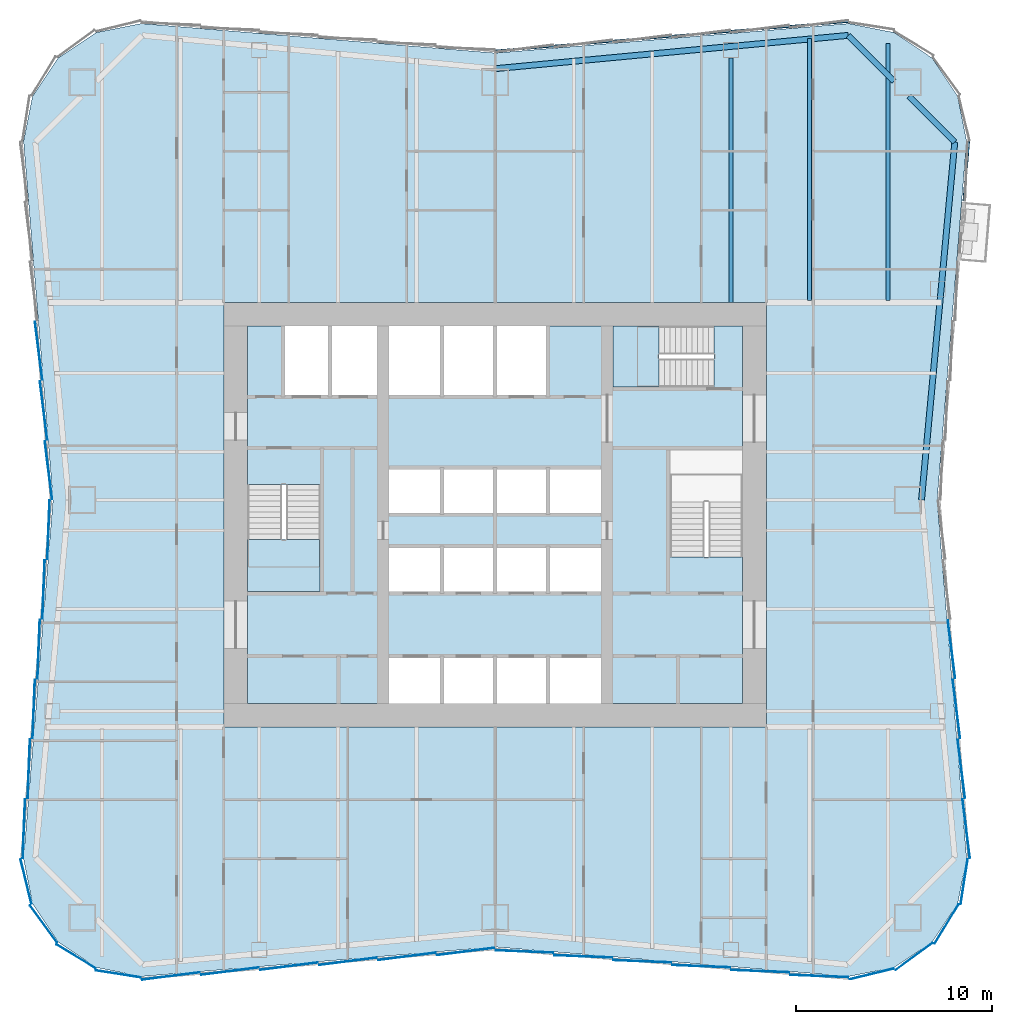
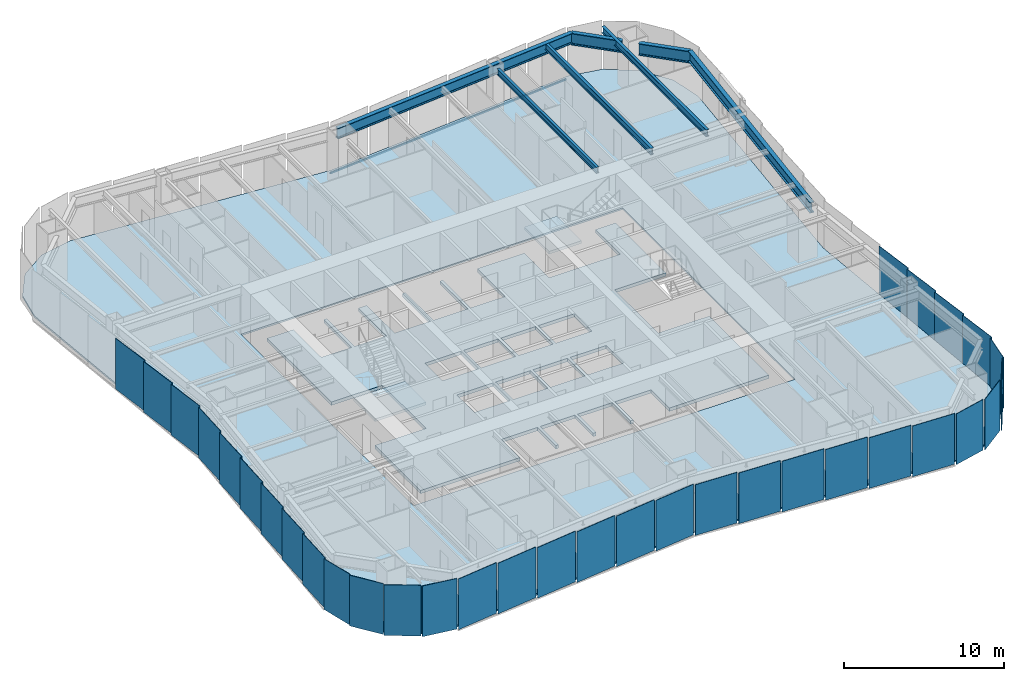
# One storey, part 2 of 9: 33 plates, 7 beams, 4 slabs, 2 members, 8 elements without a shape of their own.
"""IFC4 building model written with IfcOpenShell, lengths in metres."""

import ifcopenshell
import ifcopenshell.guid

model = None  # the IFC model being written
_history = None  # IfcOwnerHistory: only IFC2X3 demands one
_inside = {}  # id of a spatial element -> (the spatial element, [elements in it])
_under = {}  # id of a project, library or spatial element -> (it, [spatial elements below it])
_declared = {}  # id of a project -> (the project, [libraries it declares])
_typed = {}  # id of a type object -> (the type object, [elements of that type])
_made_of = {}  # id of a material, layer set ... -> (it, [elements and type objects made of it])


def new_model(schema):
    """Start an empty IFC model of exactly this schema.

    Asked for "IFC4X3", IfcOpenShell would pick the latest addendum, in which some entities
    have other attributes; the version numbers below select the first issue.
    IFC2X3 requires an IfcOwnerHistory on every rooted entity: one is made here for all.
    """
    global model, _history
    if schema == "IFC4X3":
        model = ifcopenshell.file(schema_version=(4, 3, 0, 0))
    else:
        model = ifcopenshell.file(schema=schema)
    _inside.clear()
    _under.clear()
    _declared.clear()
    _typed.clear()
    _made_of.clear()
    _history = None
    if model.schema == "IFC2X3":
        org = make("IfcOrganization", Name="unknown")
        user = make(
            "IfcPersonAndOrganization",
            ThePerson=make("IfcPerson", FamilyName="unknown"),
            TheOrganization=org,
        )
        app = make(
            "IfcApplication",
            ApplicationDeveloper=org,
            Version="unknown",
            ApplicationFullName="unknown",
            ApplicationIdentifier="unknown",
        )
        _history = make(
            "IfcOwnerHistory",
            OwningUser=user,
            OwningApplication=app,
            ChangeAction="ADDED",
            CreationDate=0,
        )
    return model


def make(cls, **values):
    """One entity of the class cls with the attributes given. An attribute that is None is left unset."""
    return model.create_entity(
        cls, **{name: value for name, value in values.items() if value is not None}
    )


def rooted(cls, **values):
    """An entity with a GlobalId (a new one), such as an element, a storey or a relation."""
    return make(cls, GlobalId=ifcopenshell.guid.new(), OwnerHistory=_history, **values)


def si_unit(unit_type, name, prefix=None):
    """IfcSIUnit, for example si_unit("LENGTHUNIT", "METRE", prefix="MILLI")."""
    return make("IfcSIUnit", UnitType=unit_type, Prefix=prefix, Name=name)


def assignment(units):
    """IfcUnitAssignment: the units of a project."""
    return None if units is None else make("IfcUnitAssignment", Units=units)


def point(xyz):
    """IfcCartesianPoint."""
    return None if xyz is None else make("IfcCartesianPoint", Coordinates=xyz)


def direction(xyz):
    """IfcDirection."""
    return None if xyz is None else make("IfcDirection", DirectionRatios=xyz)


def frame(location, z_axis=None, x_axis=None):
    """IfcAxis2Placement3D, a coordinate frame: its origin and axes. An axis left out is left unset."""
    return make(
        "IfcAxis2Placement3D",
        Location=point(location),
        Axis=direction(z_axis),
        RefDirection=direction(x_axis),
    )


def frame_2d(location, x_axis=None):
    """IfcAxis2Placement2D, a coordinate frame in the plane: its origin and x axis."""
    return make(
        "IfcAxis2Placement2D", Location=point(location), RefDirection=direction(x_axis)
    )


def origin():
    """The frame at (0, 0, 0) with its axes left unset."""
    return frame((0.0, 0.0, 0.0))


def origin_2d():
    """The frame at (0, 0) in the plane with its x axis left unset."""
    return frame_2d((0.0, 0.0))


def place(relative_to, where):
    """IfcLocalPlacement: puts the frame where relative to a parent placement (None: the world)."""
    return make(
        "IfcLocalPlacement", PlacementRelTo=relative_to, RelativePlacement=where
    )


def context(
    kind, dimensions, precision=None, world=None, true_north=None, identifier=None
):
    """IfcGeometricRepresentationContext, for example the 3D "Model" context."""
    return make(
        "IfcGeometricRepresentationContext",
        ContextIdentifier=identifier,
        ContextType=kind,
        CoordinateSpaceDimension=dimensions,
        Precision=precision,
        WorldCoordinateSystem=world,
        TrueNorth=true_north,
    )


def subcontext(parent, identifier, kind, view, scale=None):
    """IfcGeometricRepresentationSubContext, for example "Body" below "Model"."""
    return make(
        "IfcGeometricRepresentationSubContext",
        ContextIdentifier=identifier,
        ContextType=kind,
        ParentContext=parent,
        TargetScale=scale,
        TargetView=view,
    )


def project(units=None, contexts=None):
    """IfcProject with its units and contexts."""
    return rooted(
        "IfcProject",
        Name="project",
        RepresentationContexts=contexts,
        UnitsInContext=assignment(units),
    )


def spatial(cls, under=None, at=None, **own):
    """A site, building, storey or space (cls), placed at a placement, below another one or the project."""
    s = rooted(cls, ObjectPlacement=at, **own)
    if under is not None:
        _under.setdefault(under.id(), (under, []))[1].append(s)
    return s


def polyline(points):
    """IfcPolyline through the points."""
    return make("IfcPolyline", Points=[point(p) for p in points])


def profile(cls, at=None, kind="AREA", **sizes):
    """A parametric profile (cls). Its sizes go by their IFC names, for example OverallWidth=200.0."""
    return make(cls, ProfileType=kind, Position=at, **sizes)


def rectangle(**sizes):
    """IfcRectangleProfileDef."""
    return profile("IfcRectangleProfileDef", **sizes)


def i_section(**sizes):
    """IfcIShapeProfileDef."""
    return profile("IfcIShapeProfileDef", **sizes)


def outline(outer, holes=None, kind="AREA"):
    """IfcArbitraryClosedProfileDef: a profile drawn as a closed curve; with holes, ...WithVoids."""
    if holes is None:
        return make("IfcArbitraryClosedProfileDef", ProfileType=kind, OuterCurve=outer)
    return make(
        "IfcArbitraryProfileDefWithVoids",
        ProfileType=kind,
        OuterCurve=outer,
        InnerCurves=holes,
    )


def extrude(swept, where, along, depth):
    """IfcExtrudedAreaSolid: the profile swept, set in the frame where, extruded along a direction by depth."""
    return make(
        "IfcExtrudedAreaSolid",
        SweptArea=swept,
        Position=where,
        ExtrudedDirection=direction(along),
        Depth=depth,
    )


def shape(context_of_items, identifier, shape_type, items):
    """IfcShapeRepresentation: the items that make up one representation, for example the "Body"."""
    return make(
        "IfcShapeRepresentation",
        ContextOfItems=context_of_items,
        RepresentationIdentifier=identifier,
        RepresentationType=shape_type,
        Items=items,
    )


def material(Name=None, Category=None):
    """IfcMaterial."""
    return make("IfcMaterial", Name=Name, Category=Category)


def layer(
    of_material, thickness, ventilated=None, Name=None, Category=None, Priority=None
):
    """IfcMaterialLayer: one layer of a wall or slab, of a material (None: an air gap)."""
    return make(
        "IfcMaterialLayer",
        Material=of_material,
        LayerThickness=thickness,
        IsVentilated=ventilated,
        Name=Name,
        Category=Category,
        Priority=Priority,
    )


def layer_set(layers, Name=None):
    """IfcMaterialLayerSet."""
    return make("IfcMaterialLayerSet", MaterialLayers=layers, LayerSetName=Name)


def material_profile(
    of_material, cross_section, Name=None, Category=None, Priority=None
):
    """IfcMaterialProfile: a cross section and its material."""
    return make(
        "IfcMaterialProfile",
        Name=Name,
        Material=of_material,
        Profile=cross_section,
        Priority=Priority,
        Category=Category,
    )


def profile_set(profiles, Name=None, composite=None):
    """IfcMaterialProfileSet."""
    return make(
        "IfcMaterialProfileSet",
        Name=Name,
        MaterialProfiles=profiles,
        CompositeProfile=composite,
    )


def made_of(thing, what):
    """Note that an element or type object is made of a material, layer set ...; save() writes the relation."""
    if what is not None:
        _made_of.setdefault(what.id(), (what, []))[1].append(thing)
    return thing


def type_object(cls, material=None, **own):
    """A type object (cls), such as IfcWallType, which elements share."""
    return made_of(rooted(cls, **own), material)


def element(
    cls,
    number,
    at=None,
    inside=None,
    cuts=None,
    type_object=None,
    material=None,
    context=None,
    identifier="Body",
    shape_type=None,
    held_by="IfcProductDefinitionShape",
    body=None,
    shapes=None,
    **own,
):
    """One element of the class cls, such as IfcWall. Its Tag is "e" and its number.

    at: its placement. inside: the storey or other place that contains it. cuts: it is an
    opening in that element (IfcRelVoidsElement). A single representation is given by context,
    identifier, shape_type and body (its items); several are given by shapes. held_by: the class
    of the entity that holds the representations. save() writes the other relations.
    """
    e = rooted(cls, Tag="e%d" % number, ObjectPlacement=at, **own)
    if body is not None:
        shapes = [shape(context, identifier, shape_type, body)]
    if shapes is not None:
        e.Representation = make(held_by, Representations=shapes)
    if inside is not None:
        _inside.setdefault(inside.id(), (inside, []))[1].append(e)
    if cuts is not None:
        rooted(
            "IfcRelVoidsElement", RelatingBuildingElement=cuts, RelatedOpeningElement=e
        )
    if type_object is not None:
        _typed.setdefault(type_object.id(), (type_object, []))[1].append(e)
    return made_of(e, material)


def aggregate(whole, parts):
    """IfcRelAggregates: a whole, such as a stair, and the parts it consists of."""
    return rooted("IfcRelAggregates", RelatingObject=whole, RelatedObjects=parts)


def save(model, path):
    """Write the relations noted so far, then the file.

    IfcRelAggregates (storeys below a building ...), IfcRelContainedInSpatialStructure (elements
    in a storey), IfcRelDefinesByType, IfcRelAssociatesMaterial and IfcRelDeclares: one each for
    every whole, place, type object, material and project.
    """
    for whole, parts in _under.values():
        aggregate(whole, parts)
    for where, things in _inside.values():
        rooted(
            "IfcRelContainedInSpatialStructure",
            RelatedElements=things,
            RelatingStructure=where,
        )
    for kind, things in _typed.values():
        rooted("IfcRelDefinesByType", RelatedObjects=things, RelatingType=kind)
    for what, things in _made_of.values():
        rooted("IfcRelAssociatesMaterial", RelatedObjects=things, RelatingMaterial=what)
    for by, libraries in _declared.values():
        rooted("IfcRelDeclares", RelatingContext=by, RelatedDefinitions=libraries)
    model.write(path)


model = new_model("IFC4")

# Units and contexts
model_context = context("Model", 3, precision=1e-05, world=origin(), true_north=direction((0.0, 1.0)))
body_context = subcontext(model_context, "Body", "Model", "MODEL_VIEW")
ifc_project = project(units=[si_unit("LENGTHUNIT", "METRE"), si_unit("AREAUNIT", "SQUARE_METRE"), si_unit("VOLUMEUNIT", "CUBIC_METRE"), si_unit("PLANEANGLEUNIT", "RADIAN"), si_unit("MASSUNIT", "GRAM", prefix="KILO")], contexts=[model_context])

# Site, building, storey
site_placement = place(None, origin())
site = spatial("IfcSite", under=ifc_project, at=site_placement, CompositionType="ELEMENT")
building_placement = place(site_placement, origin())
building = spatial("IfcBuilding", under=site, at=building_placement, Name="Verdant Reach Tower", CompositionType="ELEMENT")
storey_placement = place(building_placement, frame((0.0, 0.0, 110.0)))
storey = spatial("IfcBuildingStorey", under=building, at=storey_placement, Name="L25", CompositionType="ELEMENT", Elevation=110.0)

# Curtain wall, member
ifc_material_1 = material(Name="Anodised aluminium", Category="aluminium")
curtain_wall_type = type_object("IfcCurtainWallType", Name="EN-CW SYSTEM Z1", PredefinedType="NOTDEFINED", material=ifc_material_1)
curtain_wall_1_placement = place(storey_placement, origin())
curtain_wall_1 = element("IfcCurtainWall", 1, at=curtain_wall_1_placement, inside=storey, type_object=curtain_wall_type, Name="Curtain wall east, L25", PredefinedType="NOTDEFINED")
ifc_material_profile_1 = material_profile(ifc_material_1, rectangle(XDim=0.10009765625, YDim=0.1220703125, at=origin_2d()), Name="Transom 122x100")
ifc_profile_set_1 = profile_set([ifc_material_profile_1], Name="Anodised aluminium")
member_type = type_object("IfcMemberType", Name="EN-TRANSOM Z1", PredefinedType="USERDEFINED", material=ifc_profile_set_1)
member_1_placement = place(storey_placement, frame((23.855224609375, 43.980712890625, -0.2890625), z_axis=(0.081586055135, 0.996666301029, 0.0), x_axis=(-0.996666301029, 0.081586055135, 0.0)))
member_1 = element("IfcMember", 2, at=member_1_placement, type_object=member_type, Name="Transom east face part 2 2.1, L25", ObjectType="TRANSOM", PredefinedType="USERDEFINED", context=body_context, shape_type="SweptSolid", body=[
    extrude(rectangle(XDim=0.10009765625, YDim=0.1220703125, at=origin_2d()), origin(), (0.0, 0.0, 1.0), 3.00439453125),
])

curtain_wall_2_placement = place(storey_placement, origin())
curtain_wall_2 = element("IfcCurtainWall", 3, at=curtain_wall_2_placement, inside=storey, type_object=curtain_wall_type, Name="Curtain wall north, L25", PredefinedType="NOTDEFINED")
member_2_placement = place(storey_placement, frame((17.974853515625, 53.100341796875, -0.2890625), z_axis=(-0.996547815143, -0.083020793384, 0.0), x_axis=(0.083020793384, -0.996547815143, 0.0)))
member_2 = element("IfcMember", 4, at=member_2_placement, type_object=member_type, Name="Transom north face part 1 1.1, L25", ObjectType="TRANSOM", PredefinedType="USERDEFINED", context=body_context, shape_type="SweptSolid", body=[
    extrude(rectangle(XDim=0.10009765625, YDim=0.1220703125, at=origin_2d()), origin(), (0.0, 0.0, 1.0), 18.006103515625),
])
aggregate(curtain_wall_2, [member_2])

# Beams
ifc_material_2 = material(Name="Steel S355", Category="steel")
ifc_material_profile_2 = material_profile(ifc_material_2, i_section(OverallWidth=0.18994140625, OverallDepth=0.449951171875, WebThickness=0.009521484375, FlangeThickness=0.0146484375, FilletRadius=0.02099609375, at=origin_2d()), Name="IPE 450")
ifc_profile_set_2 = profile_set([ifc_material_profile_2], Name="Steel S355")
beam_type_1 = type_object("IfcBeamType", Name="ST-JOIST-IPE450", PredefinedType="JOIST", material=ifc_profile_set_2)
beam_1_placement = place(storey_placement, frame((12.0, 38.800048828125, 3.52490234375), z_axis=(0.0, 1.0, 0.0), x_axis=(-1.0, 0.0, 0.0)))
element("IfcBeam", 5, at=beam_1_placement, inside=storey, type_object=beam_type_1, Name="Floor joist, L25", PredefinedType="JOIST", context=body_context, shape_type="SweptSolid", body=[
    extrude(i_section(OverallWidth=0.18994140625, OverallDepth=0.449951171875, WebThickness=0.009521484375, FlangeThickness=0.0146484375, FilletRadius=0.02099609375, at=origin_2d()), origin(), (0.0, 0.0, 1.0), 12.449951171875),
])
ifc_material_profile_3 = material_profile(ifc_material_2, i_section(OverallWidth=0.199951171875, OverallDepth=0.5, WebThickness=0.01025390625, FlangeThickness=0.01611328125, FilletRadius=0.02099609375, at=origin_2d()), Name="IPE 500")
ifc_profile_set_3 = profile_set([ifc_material_profile_3], Name="Steel S355")
beam_type_2 = type_object("IfcBeamType", Name="ST-JOIST-IPE500", PredefinedType="JOIST", material=ifc_profile_set_3)
beam_2_placement = place(storey_placement, frame((16.0, 38.89990234375, 3.5), z_axis=(0.0, 1.0, 0.0), x_axis=(-1.0, 0.0, 0.0)))
element("IfcBeam", 6, at=beam_2_placement, inside=storey, type_object=beam_type_2, Name="Floor joist, L25", PredefinedType="JOIST", context=body_context, shape_type="SweptSolid", body=[
    extrude(i_section(OverallWidth=0.199951171875, OverallDepth=0.5, WebThickness=0.01025390625, FlangeThickness=0.01611328125, FilletRadius=0.02099609375, at=origin_2d()), origin(), (0.0, 0.0, 1.0), 13.331298828125),
])
beam_3_placement = place(storey_placement, frame((20.0, 38.89990234375, 3.5), z_axis=(0.0, 1.0, 0.0), x_axis=(-1.0, 0.0, 0.0)))
element("IfcBeam", 7, at=beam_3_placement, inside=storey, type_object=beam_type_2, Name="Floor joist, L25", PredefinedType="JOIST", context=body_context, shape_type="SweptSolid", body=[
    extrude(i_section(OverallWidth=0.199951171875, OverallDepth=0.5, WebThickness=0.01025390625, FlangeThickness=0.01611328125, FilletRadius=0.02099609375, at=origin_2d()), origin(), (0.0, 0.0, 1.0), 13.090576171875),
])
ifc_material_profile_4 = material_profile(ifc_material_2, i_section(OverallWidth=0.300048828125, OverallDepth=0.800048828125, WebThickness=0.017578125, FlangeThickness=0.032958984375, FilletRadius=0.030029296875, at=origin_2d()), Name="HEB 800")
ifc_profile_set_4 = profile_set([ifc_material_profile_4], Name="Steel S355")
beam_type_3 = type_object("IfcBeamType", Name="ST-SPANDREL-HEB800", PredefinedType="SPANDREL", material=ifc_profile_set_4)
beam_4_placement = place(storey_placement, frame((0.0, 50.699951171875, 3.35009765625), z_axis=(0.995578571765, 0.093932462137, 0.0), x_axis=(-0.093932462137, 0.995578571765, 0.0)))
element("IfcBeam", 8, at=beam_4_placement, inside=storey, type_object=beam_type_3, Name="Edge beam, L25", PredefinedType="SPANDREL", context=body_context, shape_type="SweptSolid", body=[
    extrude(i_section(OverallWidth=0.300048828125, OverallDepth=0.800048828125, WebThickness=0.017578125, FlangeThickness=0.032958984375, FilletRadius=0.030029296875, at=origin_2d()), origin(), (0.0, 0.0, 1.0), 18.045654296875),
])
beam_5_placement = place(storey_placement, frame((23.39501953125, 46.96533203125, 3.35009765625), z_axis=(-0.092656907618, -0.995698095544, 0.0), x_axis=(0.995698095544, -0.092656907618, 0.0)))
element("IfcBeam", 9, at=beam_5_placement, inside=storey, type_object=beam_type_3, Name="Edge beam, L25", PredefinedType="SPANDREL", context=body_context, shape_type="SweptSolid", body=[
    extrude(i_section(OverallWidth=0.300048828125, OverallDepth=0.800048828125, WebThickness=0.017578125, FlangeThickness=0.032958984375, FilletRadius=0.030029296875, at=origin_2d()), origin(), (0.0, 0.0, 1.0), 18.2939453125),
])
ifc_material_profile_5 = material_profile(ifc_material_2, i_section(OverallWidth=0.302001953125, OverallDepth=0.909912109375, WebThickness=0.02099609375, FlangeThickness=0.0400390625, FilletRadius=0.030029296875, at=origin_2d()), Name="HEM 900")
ifc_profile_set_5 = profile_set([ifc_material_profile_5], Name="Steel S355")
beam_type_4 = type_object("IfcBeamType", Name="ST-SPANDREL-HEM900", PredefinedType="SPANDREL", material=ifc_profile_set_5)
beam_6_placement = place(storey_placement, frame((17.9658203125, 52.39501953125, 3.294921875), z_axis=(0.707106781187, -0.707106781187, 0.0), x_axis=(0.707106781187, 0.707106781187, 0.0)))
element("IfcBeam", 10, at=beam_6_placement, inside=storey, type_object=beam_type_4, Name="Edge beam, L25", PredefinedType="SPANDREL", context=body_context, shape_type="SweptSolid", body=[
    extrude(i_section(OverallWidth=0.302001953125, OverallDepth=0.909912109375, WebThickness=0.02099609375, FlangeThickness=0.0400390625, FilletRadius=0.030029296875, at=origin_2d()), origin(), (0.0, 0.0, 1.0), 3.301025390625),
])
beam_7_placement = place(storey_placement, frame((21.060546875, 49.300048828125, 3.294921875), z_axis=(0.707069807316, -0.707143753123, 0.0), x_axis=(0.707143753123, 0.707069807316, 0.0)))
element("IfcBeam", 11, at=beam_7_placement, inside=storey, type_object=beam_type_4, Name="Edge beam, L25", PredefinedType="SPANDREL", context=body_context, shape_type="SweptSolid", body=[
    extrude(i_section(OverallWidth=0.302001953125, OverallDepth=0.909912109375, WebThickness=0.02099609375, FlangeThickness=0.0400390625, FilletRadius=0.030029296875, at=origin_2d()), origin(), (0.0, 0.0, 1.0), 3.301513671875),
])

# Stair, slab
ifc_material_3 = material(Name="Concrete C40/50", Category="concrete")
stair_type = type_object("IfcStairType", Name="CO-STAIR", PredefinedType="HALF_TURN_STAIR", material=ifc_material_3)
stair_1_placement = place(storey_placement, origin())
stair_1 = element("IfcStair", 12, at=stair_1_placement, inside=storey, type_object=stair_type, Name="L25 Exit stair 1", PredefinedType="HALF_TURN_STAIR")
ifc_layer_1 = layer(ifc_material_3, 0.199951171875)
ifc_layer_set_1 = layer_set([ifc_layer_1], Name="CO-STAIR-LANDING")
slab_type_1 = type_object("IfcSlabType", Name="CO-STAIR-LANDING", PredefinedType="LANDING", material=ifc_layer_set_1)
slab_1_placement = place(storey_placement, frame((0.0, 0.0, 1.800048828125)))
slab_1 = element("IfcSlab", 13, at=slab_1_placement, type_object=slab_type_1, Name="ST-1 landing 1", PredefinedType="LANDING", context=body_context, shape_type="SweptSolid", body=[
    extrude(outline(polyline([(-12.60009765625, 26.75), (-12.60009765625, 24.10009765625), (-8.89990234375, 24.10009765625), (-8.89990234375, 26.75), (-12.60009765625, 26.75)])), origin(), (0.0, 0.0, 1.0), 0.199951171875),
])
aggregate(stair_1, [slab_1])

stair_2_placement = place(storey_placement, origin())
stair_2 = element("IfcStair", 14, at=stair_2_placement, inside=storey, type_object=stair_type, Name="L25 Exit stair 3", PredefinedType="HALF_TURN_STAIR")
slab_2_placement = place(storey_placement, frame((0.0, 0.0, 1.800048828125)))
slab_2 = element("IfcSlab", 15, at=slab_2_placement, type_object=slab_type_1, Name="ST-3 landing 1", PredefinedType="LANDING", context=body_context, shape_type="SweptSolid", body=[
    extrude(outline(polyline([(8.35009765625, 37.60009765625), (6.0, 37.60009765625), (6.0, 34.5), (8.35009765625, 34.5), (8.35009765625, 37.60009765625)])), origin(), (0.0, 0.0, 1.0), 0.199951171875),
])
aggregate(stair_2, [slab_2])

# Plate
ifc_material_4 = material(Name="Tinted glass with champagne spandrel", Category="glass")
ifc_layer_2 = layer(ifc_material_4, 0.031982421875)
ifc_layer_set_2 = layer_set([ifc_layer_2], Name="EN-PANEL CHAMPAGNE")
plate_type_1 = type_object("IfcPlateType", Name="EN-PANEL CHAMPAGNE", PredefinedType="CURTAIN_PANEL", material=ifc_layer_set_2)
plate_1_placement = place(storey_placement, frame((23.4775390625, 18.112548828125, -0.22802734375), z_axis=(0.0, 0.0, 1.0), x_axis=(-0.123578623975, 0.992334784081, 0.0)))
plate_1 = element("IfcPlate", 16, at=plate_1_placement, type_object=plate_type_1, Name="Glass panel east face part 1 3.1, L25", PredefinedType="CURTAIN_PANEL", context=body_context, shape_type="SweptSolid", body=[
    extrude(rectangle(XDim=2.993896484375, YDim=0.031982421875, at=origin_2d()), origin(), (0.0, 0.0, 1.0), 3.8779296875),
])

plate_2_placement = place(storey_placement, frame((23.2275390625, 21.154296875, -0.22802734375), z_axis=(0.0, 0.0, 1.0), x_axis=(-0.123578623975, 0.992334784081, 0.0)))
plate_2 = element("IfcPlate", 17, at=plate_2_placement, type_object=plate_type_1, Name="Glass panel east face part 1 4.1, L25", PredefinedType="CURTAIN_PANEL", context=body_context, shape_type="SweptSolid", body=[
    extrude(rectangle(XDim=2.993896484375, YDim=0.031982421875, at=origin_2d()), origin(), (0.0, 0.0, 1.0), 3.8779296875),
])

# Curtain wall, plates
curtain_wall_3_placement = place(storey_placement, origin())
curtain_wall_3 = element("IfcCurtainWall", 18, at=curtain_wall_3_placement, inside=storey, type_object=curtain_wall_type, Name="Curtain wall west, L25", PredefinedType="NOTDEFINED")
plate_3_placement = place(storey_placement, frame((-22.727783203125, 27.2333984375, -0.22802734375), z_axis=(0.0, 0.0, 1.0), x_axis=(-0.040222426271, -0.99919075077, 0.0)))
plate_3 = element("IfcPlate", 19, at=plate_3_placement, type_object=plate_type_1, Name="Glass panel west face part 2 1.1, L25", PredefinedType="CURTAIN_PANEL", context=body_context, shape_type="SweptSolid", body=[
    extrude(rectangle(XDim=2.985595703125, YDim=0.031982421875, at=origin_2d()), origin(), (0.0, 0.0, 1.0), 3.8779296875),
])
plate_4_placement = place(storey_placement, frame((-22.9775390625, 24.196044921875, -0.22802734375), z_axis=(0.0, 0.0, 1.0), x_axis=(-0.040108781752, -0.999195319057, 0.0)))
plate_4 = element("IfcPlate", 20, at=plate_4_placement, type_object=plate_type_1, Name="Glass panel west face part 2 2.1, L25", PredefinedType="CURTAIN_PANEL", context=body_context, shape_type="SweptSolid", body=[
    extrude(rectangle(XDim=2.993896484375, YDim=0.031982421875, at=origin_2d()), origin(), (0.0, 0.0, 1.0), 3.8779296875),
])
plate_5_placement = place(storey_placement, frame((-23.2275390625, 21.154296875, -0.22802734375), z_axis=(0.0, 0.0, 1.0), x_axis=(-0.040108781752, -0.999195319057, 0.0)))
plate_5 = element("IfcPlate", 21, at=plate_5_placement, type_object=plate_type_1, Name="Glass panel west face part 2 3.1, L25", PredefinedType="CURTAIN_PANEL", context=body_context, shape_type="SweptSolid", body=[
    extrude(rectangle(XDim=2.993896484375, YDim=0.031982421875, at=origin_2d()), origin(), (0.0, 0.0, 1.0), 3.8779296875),
])

# Curtain wall, plate
curtain_wall_4_placement = place(storey_placement, origin())
curtain_wall_4 = element("IfcCurtainWall", 22, at=curtain_wall_4_placement, inside=storey, type_object=curtain_wall_type, Name="Curtain wall south-west corner, L25", PredefinedType="NOTDEFINED")
plate_6_placement = place(storey_placement, frame((-23.87060546875, 9.329345703125, -0.22802734375), z_axis=(0.0, 0.0, 1.0), x_axis=(0.236383344544, -0.971659875894, 0.0)))
plate_6 = element("IfcPlate", 23, at=plate_6_placement, type_object=plate_type_1, Name="Glass panel south-west corner 1.1, L25", PredefinedType="CURTAIN_PANEL", context=body_context, shape_type="SweptSolid", body=[
    extrude(rectangle(XDim=2.3173828125, YDim=0.031982421875, at=origin_2d()), origin(), (0.0, 0.0, 1.0), 3.8779296875),
])

# Curtain wall, plates
curtain_wall_5_placement = place(storey_placement, origin())
curtain_wall_5 = element("IfcCurtainWall", 24, at=curtain_wall_5_placement, inside=storey, type_object=curtain_wall_type, Name="Curtain wall south, L25", PredefinedType="NOTDEFINED")
plate_7_placement = place(storey_placement, frame((-4.491455078125, 5.5224609375, -0.22802734375), z_axis=(0.0, 0.0, 1.0), x_axis=(0.992194034542, 0.124703639961, 0.0)))
plate_7 = element("IfcPlate", 25, at=plate_7_placement, type_object=plate_type_1, Name="Glass panel south face part 1 5.1, L25", PredefinedType="CURTAIN_PANEL", context=body_context, shape_type="SweptSolid", body=[
    extrude(rectangle(XDim=2.952392578125, YDim=0.031982421875, at=origin_2d()), origin(), (0.0, 0.0, 1.0), 3.8779296875),
])
plate_8_placement = place(storey_placement, frame((-1.49560546875, 5.772216796875, -0.22802734375), z_axis=(0.0, 0.0, 1.0), x_axis=(0.992179247355, 0.124821236644, 0.0)))
plate_8 = element("IfcPlate", 26, at=plate_8_placement, type_object=plate_type_1, Name="Glass panel south face part 1 6.1, L25", PredefinedType="CURTAIN_PANEL", context=body_context, shape_type="SweptSolid", body=[
    extrude(rectangle(XDim=2.94384765625, YDim=0.031982421875, at=origin_2d()), origin(), (0.0, 0.0, 1.0), 3.8779296875),
])
plate_9_placement = place(storey_placement, frame((1.49560546875, 5.772216796875, -0.22802734375), z_axis=(0.0, 0.0, 1.0), x_axis=(0.99914430697, -0.041360051381, 0.0)))
plate_9 = element("IfcPlate", 27, at=plate_9_placement, type_object=plate_type_1, Name="Glass panel south face part 2 1.1, L25", PredefinedType="CURTAIN_PANEL", context=body_context, shape_type="SweptSolid", body=[
    extrude(rectangle(XDim=2.94384765625, YDim=0.031982421875, at=origin_2d()), origin(), (0.0, 0.0, 1.0), 3.8779296875),
])

curtain_wall_6_placement = place(storey_placement, origin())
curtain_wall_6 = element("IfcCurtainWall", 28, at=curtain_wall_6_placement, inside=storey, type_object=curtain_wall_type, Name="Curtain wall south-east corner, L25", PredefinedType="NOTDEFINED")
ifc_material_5 = material(Name="Tinted glass with copper spandrel", Category="glass")
ifc_layer_3 = layer(ifc_material_5, 0.031982421875)
ifc_layer_set_3 = layer_set([ifc_layer_3], Name="EN-PANEL COPPER")
plate_type_2 = type_object("IfcPlateType", Name="EN-PANEL COPPER", PredefinedType="CURTAIN_PANEL", material=ifc_layer_set_3)
plate_10_placement = place(storey_placement, frame((19.170654296875, 4.62939453125, -0.22802734375), z_axis=(0.0, 0.0, 1.0), x_axis=(0.971660685934, 0.236380014828, 0.0)))
plate_10 = element("IfcPlate", 29, at=plate_10_placement, type_object=plate_type_2, Name="Glass panel south-east corner 1.1, L25", PredefinedType="CURTAIN_PANEL", context=body_context, shape_type="SweptSolid", body=[
    extrude(rectangle(XDim=2.317626953125, YDim=0.031982421875, at=origin_2d()), origin(), (0.0, 0.0, 1.0), 3.8779296875),
])
plate_11_placement = place(storey_placement, frame((21.325439453125, 5.52294921875, -0.22802734375), z_axis=(0.0, 0.0, 1.0), x_axis=(0.807456753161, 0.589926768145, 0.0)))
plate_11 = element("IfcPlate", 30, at=plate_11_placement, type_object=plate_type_2, Name="Glass panel south-east corner 2.1, L25", PredefinedType="CURTAIN_PANEL", context=body_context, shape_type="SweptSolid", body=[
    extrude(rectangle(XDim=2.3232421875, YDim=0.031982421875, at=origin_2d()), origin(), (0.0, 0.0, 1.0), 3.8779296875),
])

# Plate
plate_12_placement = place(storey_placement, frame((-23.2275390625, 36.345703125, -0.22802734375), z_axis=(0.0, 0.0, 1.0), x_axis=(0.123578623975, -0.992334784081, 0.0)))
plate_12 = element("IfcPlate", 31, at=plate_12_placement, type_object=plate_type_2, Name="Glass panel west face part 1 4.1, L25", PredefinedType="CURTAIN_PANEL", context=body_context, shape_type="SweptSolid", body=[
    extrude(rectangle(XDim=2.993896484375, YDim=0.031982421875, at=origin_2d()), origin(), (0.0, 0.0, 1.0), 3.8779296875),
])

plate_13_placement = place(storey_placement, frame((-23.4775390625, 18.112548828125, -0.22802734375), z_axis=(0.0, 0.0, 1.0), x_axis=(-0.040108781752, -0.999195319057, 0.0)))
plate_13 = element("IfcPlate", 32, at=plate_13_placement, type_object=plate_type_2, Name="Glass panel west face part 2 4.1, L25", PredefinedType="CURTAIN_PANEL", context=body_context, shape_type="SweptSolid", body=[
    extrude(rectangle(XDim=2.993896484375, YDim=0.031982421875, at=origin_2d()), origin(), (0.0, 0.0, 1.0), 3.8779296875),
])

plate_14_placement = place(storey_placement, frame((-23.7275390625, 15.071044921875, -0.22802734375), z_axis=(0.0, 0.0, 1.0), x_axis=(-0.040108781752, -0.999195319057, 0.0)))
plate_14 = element("IfcPlate", 33, at=plate_14_placement, type_object=plate_type_2, Name="Glass panel west face part 2 5.1, L25", PredefinedType="CURTAIN_PANEL", context=body_context, shape_type="SweptSolid", body=[
    extrude(rectangle(XDim=2.993896484375, YDim=0.031982421875, at=origin_2d()), origin(), (0.0, 0.0, 1.0), 3.8779296875),
])

plate_15_placement = place(storey_placement, frame((-22.97705078125, 7.174560546875, -0.22802734375), z_axis=(0.0, 0.0, 1.0), x_axis=(0.589926768145, -0.807456753161, 0.0)))
plate_15 = element("IfcPlate", 34, at=plate_15_placement, type_object=plate_type_2, Name="Glass panel south-west corner 2.1, L25", PredefinedType="CURTAIN_PANEL", context=body_context, shape_type="SweptSolid", body=[
    extrude(rectangle(XDim=2.3232421875, YDim=0.031982421875, at=origin_2d()), origin(), (0.0, 0.0, 1.0), 3.8779296875),
])

plate_16_placement = place(storey_placement, frame((-21.325439453125, 5.52294921875, -0.22802734375), z_axis=(0.0, 0.0, 1.0), x_axis=(0.85398868836, -0.520291572248, 0.0)))
plate_16 = element("IfcPlate", 35, at=plate_16_placement, type_object=plate_type_2, Name="Glass panel south-west corner 3.1, L25", PredefinedType="CURTAIN_PANEL", context=body_context, shape_type="SweptSolid", body=[
    extrude(rectangle(XDim=2.3232421875, YDim=0.031982421875, at=origin_2d()), origin(), (0.0, 0.0, 1.0), 3.8779296875),
])

plate_17_placement = place(storey_placement, frame((-19.170654296875, 4.62939453125, -0.22802734375), z_axis=(0.0, 0.0, 1.0), x_axis=(0.988032704995, -0.154244526195, 0.0)))
plate_17 = element("IfcPlate", 36, at=plate_17_placement, type_object=plate_type_2, Name="Glass panel south-west corner 4.1, L25", PredefinedType="CURTAIN_PANEL", context=body_context, shape_type="SweptSolid", body=[
    extrude(rectangle(XDim=2.317626953125, YDim=0.031982421875, at=origin_2d()), origin(), (0.0, 0.0, 1.0), 3.8779296875),
])

aggregate(curtain_wall_4, [plate_6, plate_15, plate_16, plate_17])

plate_18_placement = place(storey_placement, frame((-16.49853515625, 4.522216796875, -0.22802734375), z_axis=(0.0, 0.0, 1.0), x_axis=(0.99223537376, 0.124374286167, 0.0)))
plate_18 = element("IfcPlate", 37, at=plate_18_placement, type_object=plate_type_2, Name="Glass panel south face part 1 1.1, L25", PredefinedType="CURTAIN_PANEL", context=body_context, shape_type="SweptSolid", body=[
    extrude(rectangle(XDim=2.966796875, YDim=0.031982421875, at=origin_2d()), origin(), (0.0, 0.0, 1.0), 3.8779296875),
])

plate_19_placement = place(storey_placement, frame((-13.491455078125, 4.7724609375, -0.22802734375), z_axis=(0.0, 0.0, 1.0), x_axis=(0.992194034542, 0.124703639961, 0.0)))
plate_19 = element("IfcPlate", 38, at=plate_19_placement, type_object=plate_type_2, Name="Glass panel south face part 1 2.1, L25", PredefinedType="CURTAIN_PANEL", context=body_context, shape_type="SweptSolid", body=[
    extrude(rectangle(XDim=2.952392578125, YDim=0.031982421875, at=origin_2d()), origin(), (0.0, 0.0, 1.0), 3.8779296875),
])

plate_20_placement = place(storey_placement, frame((4.491455078125, 5.5224609375, -0.22802734375), z_axis=(0.0, 0.0, 1.0), x_axis=(0.999149202059, -0.041241629766, 0.0)))
plate_20 = element("IfcPlate", 39, at=plate_20_placement, type_object=plate_type_2, Name="Glass panel south face part 2 2.1, L25", PredefinedType="CURTAIN_PANEL", context=body_context, shape_type="SweptSolid", body=[
    extrude(rectangle(XDim=2.952392578125, YDim=0.031982421875, at=origin_2d()), origin(), (0.0, 0.0, 1.0), 3.8779296875),
])

plate_21_placement = place(storey_placement, frame((7.491455078125, 5.2724609375, -0.22802734375), z_axis=(0.0, 0.0, 1.0), x_axis=(0.999149202059, -0.041241629766, 0.0)))
plate_21 = element("IfcPlate", 40, at=plate_21_placement, type_object=plate_type_2, Name="Glass panel south face part 2 3.1, L25", PredefinedType="CURTAIN_PANEL", context=body_context, shape_type="SweptSolid", body=[
    extrude(rectangle(XDim=2.952392578125, YDim=0.031982421875, at=origin_2d()), origin(), (0.0, 0.0, 1.0), 3.8779296875),
])

ifc_material_6 = material(Name="Tinted glass with dark bronze spandrel", Category="glass")
ifc_layer_4 = layer(ifc_material_6, 0.031982421875)
ifc_layer_set_4 = layer_set([ifc_layer_4], Name="EN-PANEL DARK")
plate_type_3 = type_object("IfcPlateType", Name="EN-PANEL DARK", PredefinedType="CURTAIN_PANEL", material=ifc_layer_set_4)
plate_22_placement = place(storey_placement, frame((22.97705078125, 7.174560546875, -0.22802734375), z_axis=(0.0, 0.0, 1.0), x_axis=(0.520291572248, 0.85398868836, 0.0)))
plate_22 = element("IfcPlate", 41, at=plate_22_placement, type_object=plate_type_3, Name="Glass panel south-east corner 3.1, L25", PredefinedType="CURTAIN_PANEL", context=body_context, shape_type="SweptSolid", body=[
    extrude(rectangle(XDim=2.3232421875, YDim=0.031982421875, at=origin_2d()), origin(), (0.0, 0.0, 1.0), 3.8779296875),
])

plate_23_placement = place(storey_placement, frame((23.87060546875, 9.329345703125, -0.22802734375), z_axis=(0.0, 0.0, 1.0), x_axis=(0.154247912016, 0.988032176419, 0.0)))
plate_23 = element("IfcPlate", 42, at=plate_23_placement, type_object=plate_type_3, Name="Glass panel south-east corner 4.1, L25", PredefinedType="CURTAIN_PANEL", context=body_context, shape_type="SweptSolid", body=[
    extrude(rectangle(XDim=2.3173828125, YDim=0.031982421875, at=origin_2d()), origin(), (0.0, 0.0, 1.0), 3.8779296875),
])

aggregate(curtain_wall_6, [plate_10, plate_11, plate_22, plate_23])

plate_24_placement = place(storey_placement, frame((23.977783203125, 12.022216796875, -0.22802734375), z_axis=(0.0, 0.0, 1.0), x_axis=(-0.123256305275, 0.992374870304, 0.0)))
plate_24 = element("IfcPlate", 43, at=plate_24_placement, type_object=plate_type_3, Name="Glass panel east face part 1 1.1, L25", PredefinedType="CURTAIN_PANEL", context=body_context, shape_type="SweptSolid", body=[
    extrude(rectangle(XDim=3.00830078125, YDim=0.031982421875, at=origin_2d()), origin(), (0.0, 0.0, 1.0), 3.8779296875),
])

plate_25_placement = place(storey_placement, frame((23.7275390625, 15.071044921875, -0.22802734375), z_axis=(0.0, 0.0, 1.0), x_axis=(-0.123578623975, 0.992334784081, 0.0)))
plate_25 = element("IfcPlate", 44, at=plate_25_placement, type_object=plate_type_3, Name="Glass panel east face part 1 2.1, L25", PredefinedType="CURTAIN_PANEL", context=body_context, shape_type="SweptSolid", body=[
    extrude(rectangle(XDim=2.993896484375, YDim=0.031982421875, at=origin_2d()), origin(), (0.0, 0.0, 1.0), 3.8779296875),
])

aggregate(curtain_wall_1, [plate_24, plate_25, plate_1, plate_2, member_1])

plate_26_placement = place(storey_placement, frame((-22.9775390625, 33.303955078125, -0.22802734375), z_axis=(0.0, 0.0, 1.0), x_axis=(0.123578623975, -0.992334784081, 0.0)))
plate_26 = element("IfcPlate", 45, at=plate_26_placement, type_object=plate_type_3, Name="Glass panel west face part 1 5.1, L25", PredefinedType="CURTAIN_PANEL", context=body_context, shape_type="SweptSolid", body=[
    extrude(rectangle(XDim=2.993896484375, YDim=0.031982421875, at=origin_2d()), origin(), (0.0, 0.0, 1.0), 3.8779296875),
])

plate_27_placement = place(storey_placement, frame((-22.727783203125, 30.2666015625, -0.22802734375), z_axis=(0.0, 0.0, 1.0), x_axis=(0.123691487663, -0.992320722287, 0.0)))
plate_27 = element("IfcPlate", 46, at=plate_27_placement, type_object=plate_type_3, Name="Glass panel west face part 1 6.1, L25", PredefinedType="CURTAIN_PANEL", context=body_context, shape_type="SweptSolid", body=[
    extrude(rectangle(XDim=2.985595703125, YDim=0.031982421875, at=origin_2d()), origin(), (0.0, 0.0, 1.0), 3.8779296875),
])

plate_28_placement = place(storey_placement, frame((-23.977783203125, 12.022216796875, -0.22802734375), z_axis=(0.0, 0.0, 1.0), x_axis=(-0.039784239139, -0.999208293759, 0.0)))
plate_28 = element("IfcPlate", 47, at=plate_28_placement, type_object=plate_type_3, Name="Glass panel west face part 2 6.1, L25", PredefinedType="CURTAIN_PANEL", context=body_context, shape_type="SweptSolid", body=[
    extrude(rectangle(XDim=3.00830078125, YDim=0.031982421875, at=origin_2d()), origin(), (0.0, 0.0, 1.0), 3.8779296875),
])

aggregate(curtain_wall_3, [plate_12, plate_26, plate_27, plate_3, plate_4, plate_5, plate_13, plate_14, plate_28])

plate_29_placement = place(storey_placement, frame((-10.491455078125, 5.0224609375, -0.22802734375), z_axis=(0.0, 0.0, 1.0), x_axis=(0.992194034542, 0.124703639961, 0.0)))
plate_29 = element("IfcPlate", 48, at=plate_29_placement, type_object=plate_type_3, Name="Glass panel south face part 1 3.1, L25", PredefinedType="CURTAIN_PANEL", context=body_context, shape_type="SweptSolid", body=[
    extrude(rectangle(XDim=2.952392578125, YDim=0.031982421875, at=origin_2d()), origin(), (0.0, 0.0, 1.0), 3.8779296875),
])

plate_30_placement = place(storey_placement, frame((-7.491455078125, 5.2724609375, -0.22802734375), z_axis=(0.0, 0.0, 1.0), x_axis=(0.992194034542, 0.124703639961, 0.0)))
plate_30 = element("IfcPlate", 49, at=plate_30_placement, type_object=plate_type_3, Name="Glass panel south face part 1 4.1, L25", PredefinedType="CURTAIN_PANEL", context=body_context, shape_type="SweptSolid", body=[
    extrude(rectangle(XDim=2.952392578125, YDim=0.031982421875, at=origin_2d()), origin(), (0.0, 0.0, 1.0), 3.8779296875),
])

plate_31_placement = place(storey_placement, frame((10.491455078125, 5.0224609375, -0.22802734375), z_axis=(0.0, 0.0, 1.0), x_axis=(0.999149202059, -0.041241629766, 0.0)))
plate_31 = element("IfcPlate", 50, at=plate_31_placement, type_object=plate_type_3, Name="Glass panel south face part 2 4.1, L25", PredefinedType="CURTAIN_PANEL", context=body_context, shape_type="SweptSolid", body=[
    extrude(rectangle(XDim=2.952392578125, YDim=0.031982421875, at=origin_2d()), origin(), (0.0, 0.0, 1.0), 3.8779296875),
])

plate_32_placement = place(storey_placement, frame((13.491455078125, 4.7724609375, -0.22802734375), z_axis=(0.0, 0.0, 1.0), x_axis=(0.999149202059, -0.041241629766, 0.0)))
plate_32 = element("IfcPlate", 51, at=plate_32_placement, type_object=plate_type_3, Name="Glass panel south face part 2 5.1, L25", PredefinedType="CURTAIN_PANEL", context=body_context, shape_type="SweptSolid", body=[
    extrude(rectangle(XDim=2.952392578125, YDim=0.031982421875, at=origin_2d()), origin(), (0.0, 0.0, 1.0), 3.8779296875),
])

plate_33_placement = place(storey_placement, frame((16.49853515625, 4.522216796875, -0.22802734375), z_axis=(0.0, 0.0, 1.0), x_axis=(0.999162836679, -0.040909971885, 0.0)))
plate_33 = element("IfcPlate", 52, at=plate_33_placement, type_object=plate_type_3, Name="Glass panel south face part 2 6.1, L25", PredefinedType="CURTAIN_PANEL", context=body_context, shape_type="SweptSolid", body=[
    extrude(rectangle(XDim=2.966796875, YDim=0.031982421875, at=origin_2d()), origin(), (0.0, 0.0, 1.0), 3.8779296875),
])

aggregate(curtain_wall_5, [plate_18, plate_19, plate_29, plate_30, plate_7, plate_8, plate_9, plate_20, plate_21, plate_31, plate_32, plate_33])

# Slabs
ifc_material_7 = material(Name="Concrete C35/45", Category="concrete")
ifc_layer_5 = layer(ifc_material_7, 0.1298828125)
ifc_layer_set_5 = layer_set([ifc_layer_5], Name="ST-SLAB-130")
slab_type_2 = type_object("IfcSlabType", Name="ST-SLAB-130", PredefinedType="FLOOR", material=ifc_layer_set_5)
slab_3_placement = place(storey_placement, frame((0.0, 0.0, -0.1298828125)))
element("IfcSlab", 53, at=slab_3_placement, inside=storey, type_object=slab_type_2, Name="Floor slab L25", PredefinedType="FLOOR", context=body_context, shape_type="SweptSolid", body=[
    extrude(outline(polyline([(0.0, 6.0), (-18.0, 4.5), (-20.296142578125, 4.956787109375), (-22.24267578125, 6.25732421875), (-23.543212890625, 8.203857421875), (-24.0, 10.5), (-22.5, 28.75), (-24.0, 47.0), (-23.543212890625, 49.296142578125), (-22.24267578125, 51.24267578125), (-20.296142578125, 52.543212890625), (-18.0, 53.0), (0.0, 51.5), (18.0, 53.0), (20.296142578125, 52.543212890625), (22.24267578125, 51.24267578125), (23.543212890625, 49.296142578125), (24.0, 47.0), (22.5, 28.75), (24.0, 10.5), (23.543212890625, 8.203857421875), (22.24267578125, 6.25732421875), (20.296142578125, 4.956787109375), (18.0, 4.5), (0.0, 6.0)]), holes=[polyline([(13.800048828125, 38.800048828125), (-13.800048828125, 38.800048828125), (-13.800048828125, 17.199951171875), (13.800048828125, 17.199951171875), (13.800048828125, 38.800048828125)])]), origin(), (0.0, 0.0, 1.0), 0.1298828125),
])
ifc_layer_6 = layer(ifc_material_7, 0.25)
ifc_layer_set_6 = layer_set([ifc_layer_6], Name="ST-SLAB-250")
slab_type_3 = type_object("IfcSlabType", Name="ST-SLAB-250", PredefinedType="FLOOR", material=ifc_layer_set_6)
slab_4_placement = place(storey_placement, frame((0.0, 0.0, -0.25)))
element("IfcSlab", 54, at=slab_4_placement, inside=storey, type_object=slab_type_3, Name="Core floor slab L25", PredefinedType="FLOOR", context=body_context, shape_type="SweptSolid", body=[
    extrude(outline(polyline([(12.60009765625, 18.39990234375), (5.39990234375, 18.39990234375), (5.39990234375, 20.699951171875), (2.800048828125, 20.699951171875), (2.800048828125, 18.39990234375), (2.60009765625, 18.39990234375), (2.60009765625, 20.699951171875), (0.10009765625, 20.699951171875), (0.10009765625, 18.39990234375), (-0.10009765625, 18.39990234375), (-0.10009765625, 20.699951171875), (-2.60009765625, 20.699951171875), (-2.60009765625, 18.39990234375), (-2.800048828125, 18.39990234375), (-2.800048828125, 20.699951171875), (-5.39990234375, 20.699951171875), (-5.39990234375, 18.39990234375), (-12.60009765625, 18.39990234375), (-12.60009765625, 24.10009765625), (-8.89990234375, 24.10009765625), (-8.89990234375, 29.548095703125), (-12.60009765625, 29.548095703125), (-12.60009765625, 37.60009765625), (-10.699951171875, 37.60009765625), (-10.699951171875, 34.10009765625), (-8.5, 34.10009765625), (-8.5, 37.60009765625), (-8.300048828125, 37.60009765625), (-8.300048828125, 34.10009765625), (-6.0, 34.10009765625), (-6.0, 37.60009765625), (-5.39990234375, 37.60009765625), (-5.39990234375, 34.10009765625), (-2.800048828125, 34.10009765625), (-2.800048828125, 37.60009765625), (-2.60009765625, 37.60009765625), (-2.60009765625, 34.10009765625), (-0.10009765625, 34.10009765625), (-0.10009765625, 37.60009765625), (0.10009765625, 37.60009765625), (0.10009765625, 34.10009765625), (2.60009765625, 34.10009765625), (2.60009765625, 37.60009765625), (6.0, 37.60009765625), (6.0, 34.5), (11.14794921875, 34.5), (11.14794921875, 37.60009765625), (12.60009765625, 37.60009765625), (12.60009765625, 31.300048828125), (8.89990234375, 31.300048828125), (8.89990234375, 25.85205078125), (12.60009765625, 25.85205078125), (12.60009765625, 18.39990234375)]), holes=[polyline([(-2.800048828125, 24.10009765625), (-2.800048828125, 26.300048828125), (-5.39990234375, 26.300048828125), (-5.39990234375, 24.10009765625), (-2.800048828125, 24.10009765625)]), polyline([(-2.60009765625, 24.10009765625), (-0.10009765625, 24.10009765625), (-0.10009765625, 26.300048828125), (-2.60009765625, 26.300048828125), (-2.60009765625, 24.10009765625)]), polyline([(-2.800048828125, 28.10009765625), (-2.800048828125, 30.300048828125), (-5.39990234375, 30.300048828125), (-5.39990234375, 28.10009765625), (-2.800048828125, 28.10009765625)]), polyline([(-0.10009765625, 28.10009765625), (-0.10009765625, 30.300048828125), (-2.60009765625, 30.300048828125), (-2.60009765625, 28.10009765625), (-0.10009765625, 28.10009765625)]), polyline([(2.60009765625, 24.10009765625), (2.60009765625, 26.300048828125), (0.10009765625, 26.300048828125), (0.10009765625, 24.10009765625), (2.60009765625, 24.10009765625)]), polyline([(2.800048828125, 24.10009765625), (5.39990234375, 24.10009765625), (5.39990234375, 26.300048828125), (2.800048828125, 26.300048828125), (2.800048828125, 24.10009765625)]), polyline([(2.60009765625, 28.10009765625), (2.60009765625, 30.300048828125), (0.10009765625, 30.300048828125), (0.10009765625, 28.10009765625), (2.60009765625, 28.10009765625)]), polyline([(5.39990234375, 28.10009765625), (5.39990234375, 30.300048828125), (2.800048828125, 30.300048828125), (2.800048828125, 28.10009765625), (5.39990234375, 28.10009765625)])]), origin(), (0.0, 0.0, 1.0), 0.25),
])

save(model, "model.ifc")
